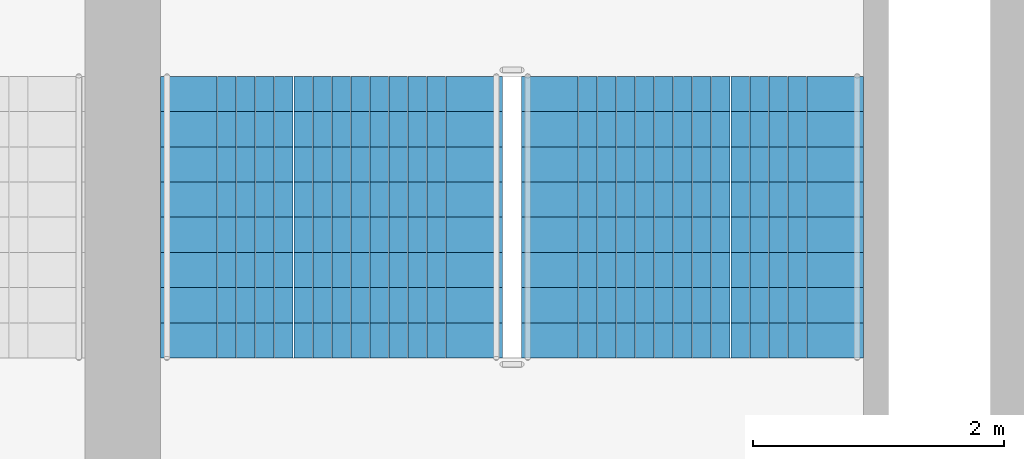
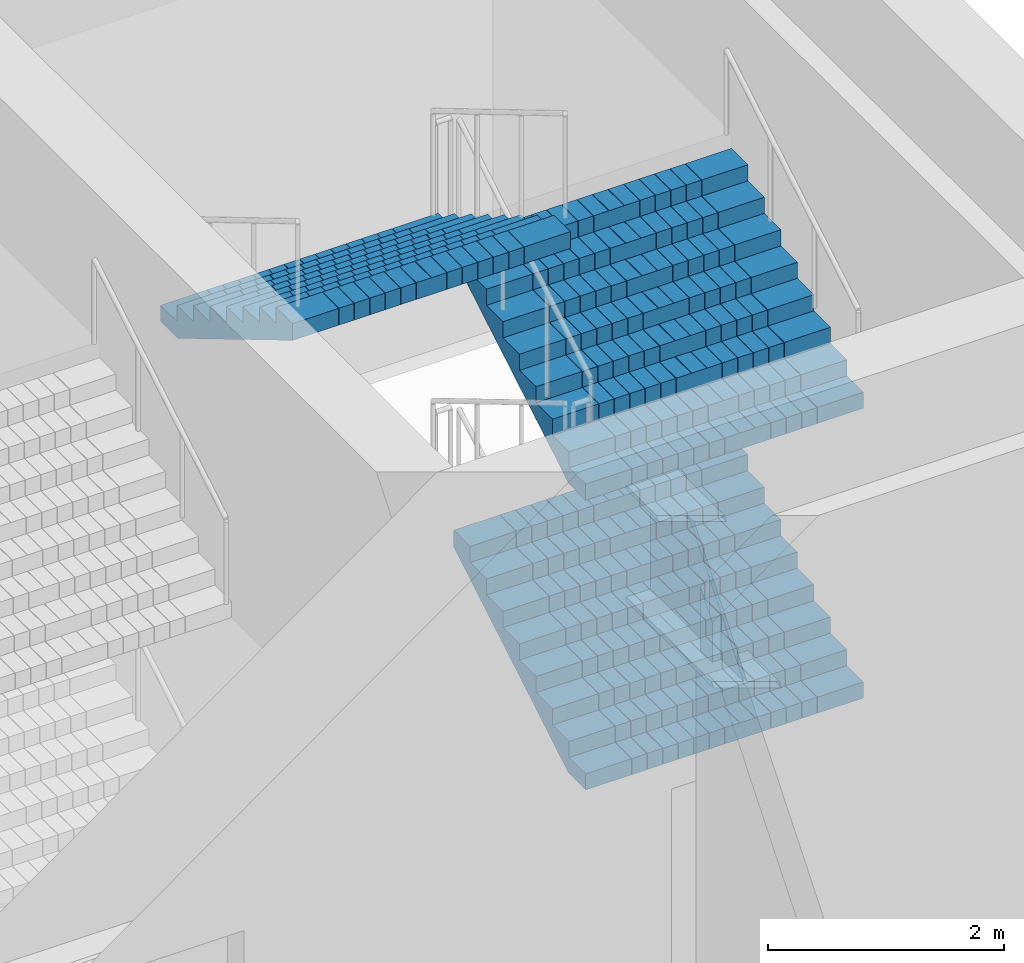
# One storey, part 34 of 41: 3 stair flights, 1 element without a shape of its own.
"""IFC4 building model written with IfcOpenShell, lengths in metres."""

from ifc_helpers import new_model, si_unit, direction, frame, origin, place, context, subcontext, project, spatial, polyline, outline, extrude, material, type_object, element, aggregate, save


model = new_model("IFC4")

# Units and contexts
model_context = context("Model", 3, precision=1e-05, world=origin(), true_north=direction((0.0, 1.0)))
body_context = subcontext(model_context, "Body", "Model", "MODEL_VIEW")
ifc_project = project(units=[si_unit("LENGTHUNIT", "METRE"), si_unit("AREAUNIT", "SQUARE_METRE"), si_unit("VOLUMEUNIT", "CUBIC_METRE"), si_unit("PLANEANGLEUNIT", "RADIAN"), si_unit("MASSUNIT", "GRAM", prefix="KILO")], contexts=[model_context])

# Site, building, storey
site_placement = place(None, origin())
site = spatial("IfcSite", under=ifc_project, at=site_placement, CompositionType="ELEMENT")
building_placement = place(site_placement, origin())
building = spatial("IfcBuilding", under=site, at=building_placement, Name="Corbelhall Arena Tower", CompositionType="ELEMENT")
storey_placement = place(building_placement, frame((0.0, 0.0, 19.0)))
storey = spatial("IfcBuildingStorey", under=building, at=storey_placement, Name="L02", CompositionType="ELEMENT", Elevation=19.0)

# Stair, stair flights
ifc_material = material(Name="Reinforced concrete C40/50", Category="concrete")
stair_type = type_object("IfcStairType", Name="AR-EXIT-STAIR", PredefinedType="HALF_TURN_STAIR", material=ifc_material)
stair_placement = place(storey_placement, origin())
stair = element("IfcStair", 1, at=stair_placement, inside=storey, type_object=stair_type, Name="L02 exit stair AS2", PredefinedType="HALF_TURN_STAIR")
stair_flight_type = type_object("IfcStairFlightType", Name="AR-EXIT-FLIGHT", PredefinedType="STRAIGHT", material=ifc_material)
stair_flight_1_placement = place(storey_placement, frame((45.030029296875, 27.320068359375, 0.0), z_axis=(0.0, 0.0, 1.0), x_axis=(0.0, 1.0, 0.0)))
stair_flight_1 = element("IfcStairFlight", 2, at=stair_flight_1_placement, type_object=stair_flight_type, Name="AS2 flight 1", NumberOfRisers=9, NumberOfTreads=8, PredefinedType="STRAIGHT", RiserHeight=0.166666667, TreadLength=0.28, context=body_context, shape_type="SweptSolid", body=[
    extrude(outline(polyline([(0.0, 0.0), (0.0, 0.166748046875), (0.280029296875, 0.166748046875), (0.280029296875, 0.333251953125), (0.56005859375, 0.333251953125), (0.56005859375, 0.5), (0.840087890625, 0.5), (0.840087890625, 0.666748046875), (1.1201171875, 0.666748046875), (1.1201171875, 0.833251953125), (1.39990234375, 0.833251953125), (1.39990234375, 1.0), (1.679931640625, 1.0), (1.679931640625, 1.166748046875), (1.9599609375, 1.166748046875), (1.9599609375, 1.333251953125), (2.239990234375, 1.333251953125), (2.239990234375, 1.5), (2.239990234375, 1.158935546875), (0.29296875, 0.0), (0.0, 0.0)])), frame((0.0, 1.35986328125, 0.0), z_axis=(0.0, -1.0, 0.0), x_axis=(1.0, 0.0, 0.0)), (0.0, 0.0, 1.0), 0.449951171875),
    extrude(outline(polyline([(0.0, 0.0), (0.0, 0.166748046875), (0.280029296875, 0.166748046875), (0.280029296875, 0.333251953125), (0.56005859375, 0.333251953125), (0.56005859375, 0.5), (0.840087890625, 0.5), (0.840087890625, 0.666748046875), (1.1201171875, 0.666748046875), (1.1201171875, 0.833251953125), (1.39990234375, 0.833251953125), (1.39990234375, 1.0), (1.679931640625, 1.0), (1.679931640625, 1.166748046875), (1.9599609375, 1.166748046875), (1.9599609375, 1.333251953125), (2.239990234375, 1.333251953125), (2.239990234375, 1.5), (2.239990234375, 1.158935546875), (0.29296875, 0.0), (0.0, 0.0)])), frame((0.0, 0.906005859375, 0.0), z_axis=(0.0, -1.0, 0.0), x_axis=(1.0, 0.0, 0.0)), (0.0, 0.0, 1.0), 0.147216796875),
    extrude(outline(polyline([(0.0, 0.0), (0.0, 0.166748046875), (0.280029296875, 0.166748046875), (0.280029296875, 0.333251953125), (0.56005859375, 0.333251953125), (0.56005859375, 0.5), (0.840087890625, 0.5), (0.840087890625, 0.666748046875), (1.1201171875, 0.666748046875), (1.1201171875, 0.833251953125), (1.39990234375, 0.833251953125), (1.39990234375, 1.0), (1.679931640625, 1.0), (1.679931640625, 1.166748046875), (1.9599609375, 1.166748046875), (1.9599609375, 1.333251953125), (2.239990234375, 1.333251953125), (2.239990234375, 1.5), (2.239990234375, 1.158935546875), (0.29296875, 0.0), (0.0, 0.0)])), frame((0.0, 0.754638671875, 0.0), z_axis=(0.0, -1.0, 0.0), x_axis=(1.0, 0.0, 0.0)), (0.0, 0.0, 1.0), 0.147216796875),
    extrude(outline(polyline([(0.0, 0.0), (0.0, 0.166748046875), (0.280029296875, 0.166748046875), (0.280029296875, 0.333251953125), (0.56005859375, 0.333251953125), (0.56005859375, 0.5), (0.840087890625, 0.5), (0.840087890625, 0.666748046875), (1.1201171875, 0.666748046875), (1.1201171875, 0.833251953125), (1.39990234375, 0.833251953125), (1.39990234375, 1.0), (1.679931640625, 1.0), (1.679931640625, 1.166748046875), (1.9599609375, 1.166748046875), (1.9599609375, 1.333251953125), (2.239990234375, 1.333251953125), (2.239990234375, 1.5), (2.239990234375, 1.158935546875), (0.29296875, 0.0), (0.0, 0.0)])), frame((0.0, 0.603271484375, 0.0), z_axis=(0.0, -1.0, 0.0), x_axis=(1.0, 0.0, 0.0)), (0.0, 0.0, 1.0), 0.147216796875),
    extrude(outline(polyline([(0.0, 0.0), (0.0, 0.166748046875), (0.280029296875, 0.166748046875), (0.280029296875, 0.333251953125), (0.56005859375, 0.333251953125), (0.56005859375, 0.5), (0.840087890625, 0.5), (0.840087890625, 0.666748046875), (1.1201171875, 0.666748046875), (1.1201171875, 0.833251953125), (1.39990234375, 0.833251953125), (1.39990234375, 1.0), (1.679931640625, 1.0), (1.679931640625, 1.166748046875), (1.9599609375, 1.166748046875), (1.9599609375, 1.333251953125), (2.239990234375, 1.333251953125), (2.239990234375, 1.5), (2.239990234375, 1.158935546875), (0.29296875, 0.0), (0.0, 0.0)])), frame((0.0, 0.451904296875, 0.0), z_axis=(0.0, -1.0, 0.0), x_axis=(1.0, 0.0, 0.0)), (0.0, 0.0, 1.0), 0.147216796875),
    extrude(outline(polyline([(0.0, 0.0), (0.0, 0.166748046875), (0.280029296875, 0.166748046875), (0.280029296875, 0.333251953125), (0.56005859375, 0.333251953125), (0.56005859375, 0.5), (0.840087890625, 0.5), (0.840087890625, 0.666748046875), (1.1201171875, 0.666748046875), (1.1201171875, 0.833251953125), (1.39990234375, 0.833251953125), (1.39990234375, 1.0), (1.679931640625, 1.0), (1.679931640625, 1.166748046875), (1.9599609375, 1.166748046875), (1.9599609375, 1.333251953125), (2.239990234375, 1.333251953125), (2.239990234375, 1.5), (2.239990234375, 1.158935546875), (0.29296875, 0.0), (0.0, 0.0)])), frame((0.0, 0.30078125, 0.0), z_axis=(0.0, -1.0, 0.0), x_axis=(1.0, 0.0, 0.0)), (0.0, 0.0, 1.0), 0.147216796875),
    extrude(outline(polyline([(0.0, 0.0), (0.0, 0.166748046875), (0.280029296875, 0.166748046875), (0.280029296875, 0.333251953125), (0.56005859375, 0.333251953125), (0.56005859375, 0.5), (0.840087890625, 0.5), (0.840087890625, 0.666748046875), (1.1201171875, 0.666748046875), (1.1201171875, 0.833251953125), (1.39990234375, 0.833251953125), (1.39990234375, 1.0), (1.679931640625, 1.0), (1.679931640625, 1.166748046875), (1.9599609375, 1.166748046875), (1.9599609375, 1.333251953125), (2.239990234375, 1.333251953125), (2.239990234375, 1.5), (2.239990234375, 1.158935546875), (0.29296875, 0.0), (0.0, 0.0)])), frame((0.0, 0.1494140625, 0.0), z_axis=(0.0, -1.0, 0.0), x_axis=(1.0, 0.0, 0.0)), (0.0, 0.0, 1.0), 0.147216796875),
    extrude(outline(polyline([(0.0, 0.0), (0.0, 0.166748046875), (0.280029296875, 0.166748046875), (0.280029296875, 0.333251953125), (0.56005859375, 0.333251953125), (0.56005859375, 0.5), (0.840087890625, 0.5), (0.840087890625, 0.666748046875), (1.1201171875, 0.666748046875), (1.1201171875, 0.833251953125), (1.39990234375, 0.833251953125), (1.39990234375, 1.0), (1.679931640625, 1.0), (1.679931640625, 1.166748046875), (1.9599609375, 1.166748046875), (1.9599609375, 1.333251953125), (2.239990234375, 1.333251953125), (2.239990234375, 1.5), (2.239990234375, 1.158935546875), (0.29296875, 0.0), (0.0, 0.0)])), frame((0.0, -0.001953125, 0.0), z_axis=(0.0, -1.0, 0.0), x_axis=(1.0, 0.0, 0.0)), (0.0, 0.0, 1.0), 0.147216796875),
    extrude(outline(polyline([(0.0, 0.0), (0.0, 0.166748046875), (0.280029296875, 0.166748046875), (0.280029296875, 0.333251953125), (0.56005859375, 0.333251953125), (0.56005859375, 0.5), (0.840087890625, 0.5), (0.840087890625, 0.666748046875), (1.1201171875, 0.666748046875), (1.1201171875, 0.833251953125), (1.39990234375, 0.833251953125), (1.39990234375, 1.0), (1.679931640625, 1.0), (1.679931640625, 1.166748046875), (1.9599609375, 1.166748046875), (1.9599609375, 1.333251953125), (2.239990234375, 1.333251953125), (2.239990234375, 1.5), (2.239990234375, 1.158935546875), (0.29296875, 0.0), (0.0, 0.0)])), frame((0.0, -0.1533203125, 0.0), z_axis=(0.0, -1.0, 0.0), x_axis=(1.0, 0.0, 0.0)), (0.0, 0.0, 1.0), 0.147216796875),
    extrude(outline(polyline([(0.0, 0.0), (0.0, 0.166748046875), (0.280029296875, 0.166748046875), (0.280029296875, 0.333251953125), (0.56005859375, 0.333251953125), (0.56005859375, 0.5), (0.840087890625, 0.5), (0.840087890625, 0.666748046875), (1.1201171875, 0.666748046875), (1.1201171875, 0.833251953125), (1.39990234375, 0.833251953125), (1.39990234375, 1.0), (1.679931640625, 1.0), (1.679931640625, 1.166748046875), (1.9599609375, 1.166748046875), (1.9599609375, 1.333251953125), (2.239990234375, 1.333251953125), (2.239990234375, 1.5), (2.239990234375, 1.158935546875), (0.29296875, 0.0), (0.0, 0.0)])), frame((0.0, -0.3046875, 0.0), z_axis=(0.0, -1.0, 0.0), x_axis=(1.0, 0.0, 0.0)), (0.0, 0.0, 1.0), 0.147216796875),
    extrude(outline(polyline([(0.0, 0.0), (0.0, 0.166748046875), (0.280029296875, 0.166748046875), (0.280029296875, 0.333251953125), (0.56005859375, 0.333251953125), (0.56005859375, 0.5), (0.840087890625, 0.5), (0.840087890625, 0.666748046875), (1.1201171875, 0.666748046875), (1.1201171875, 0.833251953125), (1.39990234375, 0.833251953125), (1.39990234375, 1.0), (1.679931640625, 1.0), (1.679931640625, 1.166748046875), (1.9599609375, 1.166748046875), (1.9599609375, 1.333251953125), (2.239990234375, 1.333251953125), (2.239990234375, 1.5), (2.239990234375, 1.158935546875), (0.29296875, 0.0), (0.0, 0.0)])), frame((0.0, -0.4560546875, 0.0), z_axis=(0.0, -1.0, 0.0), x_axis=(1.0, 0.0, 0.0)), (0.0, 0.0, 1.0), 0.147216796875),
    extrude(outline(polyline([(0.0, 0.0), (0.0, 0.166748046875), (0.280029296875, 0.166748046875), (0.280029296875, 0.333251953125), (0.56005859375, 0.333251953125), (0.56005859375, 0.5), (0.840087890625, 0.5), (0.840087890625, 0.666748046875), (1.1201171875, 0.666748046875), (1.1201171875, 0.833251953125), (1.39990234375, 0.833251953125), (1.39990234375, 1.0), (1.679931640625, 1.0), (1.679931640625, 1.166748046875), (1.9599609375, 1.166748046875), (1.9599609375, 1.333251953125), (2.239990234375, 1.333251953125), (2.239990234375, 1.5), (2.239990234375, 1.158935546875), (0.29296875, 0.0), (0.0, 0.0)])), frame((0.0, -0.607421875, 0.0), z_axis=(0.0, -1.0, 0.0), x_axis=(1.0, 0.0, 0.0)), (0.0, 0.0, 1.0), 0.147216796875),
    extrude(outline(polyline([(0.0, 0.0), (0.0, 0.166748046875), (0.280029296875, 0.166748046875), (0.280029296875, 0.333251953125), (0.56005859375, 0.333251953125), (0.56005859375, 0.5), (0.840087890625, 0.5), (0.840087890625, 0.666748046875), (1.1201171875, 0.666748046875), (1.1201171875, 0.833251953125), (1.39990234375, 0.833251953125), (1.39990234375, 1.0), (1.679931640625, 1.0), (1.679931640625, 1.166748046875), (1.9599609375, 1.166748046875), (1.9599609375, 1.333251953125), (2.239990234375, 1.333251953125), (2.239990234375, 1.5), (2.239990234375, 1.158935546875), (0.29296875, 0.0), (0.0, 0.0)])), frame((0.0, -0.758544921875, 0.0), z_axis=(0.0, -1.0, 0.0), x_axis=(1.0, 0.0, 0.0)), (0.0, 0.0, 1.0), 0.147216796875),
    extrude(outline(polyline([(0.0, 0.0), (0.0, 0.166748046875), (0.280029296875, 0.166748046875), (0.280029296875, 0.333251953125), (0.56005859375, 0.333251953125), (0.56005859375, 0.5), (0.840087890625, 0.5), (0.840087890625, 0.666748046875), (1.1201171875, 0.666748046875), (1.1201171875, 0.833251953125), (1.39990234375, 0.833251953125), (1.39990234375, 1.0), (1.679931640625, 1.0), (1.679931640625, 1.166748046875), (1.9599609375, 1.166748046875), (1.9599609375, 1.333251953125), (2.239990234375, 1.333251953125), (2.239990234375, 1.5), (2.239990234375, 1.158935546875), (0.29296875, 0.0), (0.0, 0.0)])), frame((0.0, -0.909912109375, 0.0), z_axis=(0.0, -1.0, 0.0), x_axis=(1.0, 0.0, 0.0)), (0.0, 0.0, 1.0), 0.449951171875),
])
stair_flight_2_placement = place(storey_placement, frame((45.030029296875, 27.320068359375, 3.0), z_axis=(0.0, 0.0, 1.0), x_axis=(0.0, 1.0, 0.0)))
stair_flight_2 = element("IfcStairFlight", 3, at=stair_flight_2_placement, type_object=stair_flight_type, Name="AS2 flight 3", NumberOfRisers=9, NumberOfTreads=8, PredefinedType="STRAIGHT", RiserHeight=0.166666667, TreadLength=0.28, context=body_context, shape_type="SweptSolid", body=[
    extrude(outline(polyline([(0.0, 0.0), (0.0, 0.166748046875), (0.280029296875, 0.166748046875), (0.280029296875, 0.333251953125), (0.56005859375, 0.333251953125), (0.56005859375, 0.5), (0.840087890625, 0.5), (0.840087890625, 0.666748046875), (1.1201171875, 0.666748046875), (1.1201171875, 0.833251953125), (1.39990234375, 0.833251953125), (1.39990234375, 1.0), (1.679931640625, 1.0), (1.679931640625, 1.166748046875), (1.9599609375, 1.166748046875), (1.9599609375, 1.333251953125), (2.239990234375, 1.333251953125), (2.239990234375, 1.5), (2.239990234375, 1.158935546875), (0.29296875, 0.0), (0.0, 0.0)])), frame((0.0, 1.35986328125, 0.0), z_axis=(0.0, -1.0, 0.0), x_axis=(1.0, 0.0, 0.0)), (0.0, 0.0, 1.0), 0.449951171875),
    extrude(outline(polyline([(0.0, 0.0), (0.0, 0.166748046875), (0.280029296875, 0.166748046875), (0.280029296875, 0.333251953125), (0.56005859375, 0.333251953125), (0.56005859375, 0.5), (0.840087890625, 0.5), (0.840087890625, 0.666748046875), (1.1201171875, 0.666748046875), (1.1201171875, 0.833251953125), (1.39990234375, 0.833251953125), (1.39990234375, 1.0), (1.679931640625, 1.0), (1.679931640625, 1.166748046875), (1.9599609375, 1.166748046875), (1.9599609375, 1.333251953125), (2.239990234375, 1.333251953125), (2.239990234375, 1.5), (2.239990234375, 1.158935546875), (0.29296875, 0.0), (0.0, 0.0)])), frame((0.0, 0.906005859375, 0.0), z_axis=(0.0, -1.0, 0.0), x_axis=(1.0, 0.0, 0.0)), (0.0, 0.0, 1.0), 0.147216796875),
    extrude(outline(polyline([(0.0, 0.0), (0.0, 0.166748046875), (0.280029296875, 0.166748046875), (0.280029296875, 0.333251953125), (0.56005859375, 0.333251953125), (0.56005859375, 0.5), (0.840087890625, 0.5), (0.840087890625, 0.666748046875), (1.1201171875, 0.666748046875), (1.1201171875, 0.833251953125), (1.39990234375, 0.833251953125), (1.39990234375, 1.0), (1.679931640625, 1.0), (1.679931640625, 1.166748046875), (1.9599609375, 1.166748046875), (1.9599609375, 1.333251953125), (2.239990234375, 1.333251953125), (2.239990234375, 1.5), (2.239990234375, 1.158935546875), (0.29296875, 0.0), (0.0, 0.0)])), frame((0.0, 0.754638671875, 0.0), z_axis=(0.0, -1.0, 0.0), x_axis=(1.0, 0.0, 0.0)), (0.0, 0.0, 1.0), 0.147216796875),
    extrude(outline(polyline([(0.0, 0.0), (0.0, 0.166748046875), (0.280029296875, 0.166748046875), (0.280029296875, 0.333251953125), (0.56005859375, 0.333251953125), (0.56005859375, 0.5), (0.840087890625, 0.5), (0.840087890625, 0.666748046875), (1.1201171875, 0.666748046875), (1.1201171875, 0.833251953125), (1.39990234375, 0.833251953125), (1.39990234375, 1.0), (1.679931640625, 1.0), (1.679931640625, 1.166748046875), (1.9599609375, 1.166748046875), (1.9599609375, 1.333251953125), (2.239990234375, 1.333251953125), (2.239990234375, 1.5), (2.239990234375, 1.158935546875), (0.29296875, 0.0), (0.0, 0.0)])), frame((0.0, 0.603271484375, 0.0), z_axis=(0.0, -1.0, 0.0), x_axis=(1.0, 0.0, 0.0)), (0.0, 0.0, 1.0), 0.147216796875),
    extrude(outline(polyline([(0.0, 0.0), (0.0, 0.166748046875), (0.280029296875, 0.166748046875), (0.280029296875, 0.333251953125), (0.56005859375, 0.333251953125), (0.56005859375, 0.5), (0.840087890625, 0.5), (0.840087890625, 0.666748046875), (1.1201171875, 0.666748046875), (1.1201171875, 0.833251953125), (1.39990234375, 0.833251953125), (1.39990234375, 1.0), (1.679931640625, 1.0), (1.679931640625, 1.166748046875), (1.9599609375, 1.166748046875), (1.9599609375, 1.333251953125), (2.239990234375, 1.333251953125), (2.239990234375, 1.5), (2.239990234375, 1.158935546875), (0.29296875, 0.0), (0.0, 0.0)])), frame((0.0, 0.451904296875, 0.0), z_axis=(0.0, -1.0, 0.0), x_axis=(1.0, 0.0, 0.0)), (0.0, 0.0, 1.0), 0.147216796875),
    extrude(outline(polyline([(0.0, 0.0), (0.0, 0.166748046875), (0.280029296875, 0.166748046875), (0.280029296875, 0.333251953125), (0.56005859375, 0.333251953125), (0.56005859375, 0.5), (0.840087890625, 0.5), (0.840087890625, 0.666748046875), (1.1201171875, 0.666748046875), (1.1201171875, 0.833251953125), (1.39990234375, 0.833251953125), (1.39990234375, 1.0), (1.679931640625, 1.0), (1.679931640625, 1.166748046875), (1.9599609375, 1.166748046875), (1.9599609375, 1.333251953125), (2.239990234375, 1.333251953125), (2.239990234375, 1.5), (2.239990234375, 1.158935546875), (0.29296875, 0.0), (0.0, 0.0)])), frame((0.0, 0.30078125, 0.0), z_axis=(0.0, -1.0, 0.0), x_axis=(1.0, 0.0, 0.0)), (0.0, 0.0, 1.0), 0.147216796875),
    extrude(outline(polyline([(0.0, 0.0), (0.0, 0.166748046875), (0.280029296875, 0.166748046875), (0.280029296875, 0.333251953125), (0.56005859375, 0.333251953125), (0.56005859375, 0.5), (0.840087890625, 0.5), (0.840087890625, 0.666748046875), (1.1201171875, 0.666748046875), (1.1201171875, 0.833251953125), (1.39990234375, 0.833251953125), (1.39990234375, 1.0), (1.679931640625, 1.0), (1.679931640625, 1.166748046875), (1.9599609375, 1.166748046875), (1.9599609375, 1.333251953125), (2.239990234375, 1.333251953125), (2.239990234375, 1.5), (2.239990234375, 1.158935546875), (0.29296875, 0.0), (0.0, 0.0)])), frame((0.0, 0.1494140625, 0.0), z_axis=(0.0, -1.0, 0.0), x_axis=(1.0, 0.0, 0.0)), (0.0, 0.0, 1.0), 0.147216796875),
    extrude(outline(polyline([(0.0, 0.0), (0.0, 0.166748046875), (0.280029296875, 0.166748046875), (0.280029296875, 0.333251953125), (0.56005859375, 0.333251953125), (0.56005859375, 0.5), (0.840087890625, 0.5), (0.840087890625, 0.666748046875), (1.1201171875, 0.666748046875), (1.1201171875, 0.833251953125), (1.39990234375, 0.833251953125), (1.39990234375, 1.0), (1.679931640625, 1.0), (1.679931640625, 1.166748046875), (1.9599609375, 1.166748046875), (1.9599609375, 1.333251953125), (2.239990234375, 1.333251953125), (2.239990234375, 1.5), (2.239990234375, 1.158935546875), (0.29296875, 0.0), (0.0, 0.0)])), frame((0.0, -0.001953125, 0.0), z_axis=(0.0, -1.0, 0.0), x_axis=(1.0, 0.0, 0.0)), (0.0, 0.0, 1.0), 0.147216796875),
    extrude(outline(polyline([(0.0, 0.0), (0.0, 0.166748046875), (0.280029296875, 0.166748046875), (0.280029296875, 0.333251953125), (0.56005859375, 0.333251953125), (0.56005859375, 0.5), (0.840087890625, 0.5), (0.840087890625, 0.666748046875), (1.1201171875, 0.666748046875), (1.1201171875, 0.833251953125), (1.39990234375, 0.833251953125), (1.39990234375, 1.0), (1.679931640625, 1.0), (1.679931640625, 1.166748046875), (1.9599609375, 1.166748046875), (1.9599609375, 1.333251953125), (2.239990234375, 1.333251953125), (2.239990234375, 1.5), (2.239990234375, 1.158935546875), (0.29296875, 0.0), (0.0, 0.0)])), frame((0.0, -0.1533203125, 0.0), z_axis=(0.0, -1.0, 0.0), x_axis=(1.0, 0.0, 0.0)), (0.0, 0.0, 1.0), 0.147216796875),
    extrude(outline(polyline([(0.0, 0.0), (0.0, 0.166748046875), (0.280029296875, 0.166748046875), (0.280029296875, 0.333251953125), (0.56005859375, 0.333251953125), (0.56005859375, 0.5), (0.840087890625, 0.5), (0.840087890625, 0.666748046875), (1.1201171875, 0.666748046875), (1.1201171875, 0.833251953125), (1.39990234375, 0.833251953125), (1.39990234375, 1.0), (1.679931640625, 1.0), (1.679931640625, 1.166748046875), (1.9599609375, 1.166748046875), (1.9599609375, 1.333251953125), (2.239990234375, 1.333251953125), (2.239990234375, 1.5), (2.239990234375, 1.158935546875), (0.29296875, 0.0), (0.0, 0.0)])), frame((0.0, -0.3046875, 0.0), z_axis=(0.0, -1.0, 0.0), x_axis=(1.0, 0.0, 0.0)), (0.0, 0.0, 1.0), 0.147216796875),
    extrude(outline(polyline([(0.0, 0.0), (0.0, 0.166748046875), (0.280029296875, 0.166748046875), (0.280029296875, 0.333251953125), (0.56005859375, 0.333251953125), (0.56005859375, 0.5), (0.840087890625, 0.5), (0.840087890625, 0.666748046875), (1.1201171875, 0.666748046875), (1.1201171875, 0.833251953125), (1.39990234375, 0.833251953125), (1.39990234375, 1.0), (1.679931640625, 1.0), (1.679931640625, 1.166748046875), (1.9599609375, 1.166748046875), (1.9599609375, 1.333251953125), (2.239990234375, 1.333251953125), (2.239990234375, 1.5), (2.239990234375, 1.158935546875), (0.29296875, 0.0), (0.0, 0.0)])), frame((0.0, -0.4560546875, 0.0), z_axis=(0.0, -1.0, 0.0), x_axis=(1.0, 0.0, 0.0)), (0.0, 0.0, 1.0), 0.147216796875),
    extrude(outline(polyline([(0.0, 0.0), (0.0, 0.166748046875), (0.280029296875, 0.166748046875), (0.280029296875, 0.333251953125), (0.56005859375, 0.333251953125), (0.56005859375, 0.5), (0.840087890625, 0.5), (0.840087890625, 0.666748046875), (1.1201171875, 0.666748046875), (1.1201171875, 0.833251953125), (1.39990234375, 0.833251953125), (1.39990234375, 1.0), (1.679931640625, 1.0), (1.679931640625, 1.166748046875), (1.9599609375, 1.166748046875), (1.9599609375, 1.333251953125), (2.239990234375, 1.333251953125), (2.239990234375, 1.5), (2.239990234375, 1.158935546875), (0.29296875, 0.0), (0.0, 0.0)])), frame((0.0, -0.607421875, 0.0), z_axis=(0.0, -1.0, 0.0), x_axis=(1.0, 0.0, 0.0)), (0.0, 0.0, 1.0), 0.147216796875),
    extrude(outline(polyline([(0.0, 0.0), (0.0, 0.166748046875), (0.280029296875, 0.166748046875), (0.280029296875, 0.333251953125), (0.56005859375, 0.333251953125), (0.56005859375, 0.5), (0.840087890625, 0.5), (0.840087890625, 0.666748046875), (1.1201171875, 0.666748046875), (1.1201171875, 0.833251953125), (1.39990234375, 0.833251953125), (1.39990234375, 1.0), (1.679931640625, 1.0), (1.679931640625, 1.166748046875), (1.9599609375, 1.166748046875), (1.9599609375, 1.333251953125), (2.239990234375, 1.333251953125), (2.239990234375, 1.5), (2.239990234375, 1.158935546875), (0.29296875, 0.0), (0.0, 0.0)])), frame((0.0, -0.758544921875, 0.0), z_axis=(0.0, -1.0, 0.0), x_axis=(1.0, 0.0, 0.0)), (0.0, 0.0, 1.0), 0.147216796875),
    extrude(outline(polyline([(0.0, 0.0), (0.0, 0.166748046875), (0.280029296875, 0.166748046875), (0.280029296875, 0.333251953125), (0.56005859375, 0.333251953125), (0.56005859375, 0.5), (0.840087890625, 0.5), (0.840087890625, 0.666748046875), (1.1201171875, 0.666748046875), (1.1201171875, 0.833251953125), (1.39990234375, 0.833251953125), (1.39990234375, 1.0), (1.679931640625, 1.0), (1.679931640625, 1.166748046875), (1.9599609375, 1.166748046875), (1.9599609375, 1.333251953125), (2.239990234375, 1.333251953125), (2.239990234375, 1.5), (2.239990234375, 1.158935546875), (0.29296875, 0.0), (0.0, 0.0)])), frame((0.0, -0.909912109375, 0.0), z_axis=(0.0, -1.0, 0.0), x_axis=(1.0, 0.0, 0.0)), (0.0, 0.0, 1.0), 0.449951171875),
])
stair_flight_3_placement = place(storey_placement, frame((42.159912109375, 29.56005859375, 4.5), z_axis=(0.0, 0.0, 1.0), x_axis=(0.0, -1.0, 0.0)))
stair_flight_3 = element("IfcStairFlight", 4, at=stair_flight_3_placement, type_object=stair_flight_type, Name="AS2 flight 4", NumberOfRisers=9, NumberOfTreads=8, PredefinedType="STRAIGHT", RiserHeight=0.166666667, TreadLength=0.28, context=body_context, shape_type="SweptSolid", body=[
    extrude(outline(polyline([(0.0, 0.0), (0.0, 0.166748046875), (0.280029296875, 0.166748046875), (0.280029296875, 0.333251953125), (0.56005859375, 0.333251953125), (0.56005859375, 0.5), (0.840087890625, 0.5), (0.840087890625, 0.666748046875), (1.1201171875, 0.666748046875), (1.1201171875, 0.833251953125), (1.39990234375, 0.833251953125), (1.39990234375, 1.0), (1.679931640625, 1.0), (1.679931640625, 1.166748046875), (1.9599609375, 1.166748046875), (1.9599609375, 1.333251953125), (2.239990234375, 1.333251953125), (2.239990234375, 1.5), (2.239990234375, 1.158935546875), (0.29296875, 0.0), (0.0, 0.0)])), frame((0.0, 1.35986328125, 0.0), z_axis=(0.0, -1.0, 0.0), x_axis=(1.0, 0.0, 0.0)), (0.0, 0.0, 1.0), 0.449951171875),
    extrude(outline(polyline([(0.0, 0.0), (0.0, 0.166748046875), (0.280029296875, 0.166748046875), (0.280029296875, 0.333251953125), (0.56005859375, 0.333251953125), (0.56005859375, 0.5), (0.840087890625, 0.5), (0.840087890625, 0.666748046875), (1.1201171875, 0.666748046875), (1.1201171875, 0.833251953125), (1.39990234375, 0.833251953125), (1.39990234375, 1.0), (1.679931640625, 1.0), (1.679931640625, 1.166748046875), (1.9599609375, 1.166748046875), (1.9599609375, 1.333251953125), (2.239990234375, 1.333251953125), (2.239990234375, 1.5), (2.239990234375, 1.158935546875), (0.29296875, 0.0), (0.0, 0.0)])), frame((0.0, 0.906005859375, 0.0), z_axis=(0.0, -1.0, 0.0), x_axis=(1.0, 0.0, 0.0)), (0.0, 0.0, 1.0), 0.147216796875),
    extrude(outline(polyline([(0.0, 0.0), (0.0, 0.166748046875), (0.280029296875, 0.166748046875), (0.280029296875, 0.333251953125), (0.56005859375, 0.333251953125), (0.56005859375, 0.5), (0.840087890625, 0.5), (0.840087890625, 0.666748046875), (1.1201171875, 0.666748046875), (1.1201171875, 0.833251953125), (1.39990234375, 0.833251953125), (1.39990234375, 1.0), (1.679931640625, 1.0), (1.679931640625, 1.166748046875), (1.9599609375, 1.166748046875), (1.9599609375, 1.333251953125), (2.239990234375, 1.333251953125), (2.239990234375, 1.5), (2.239990234375, 1.158935546875), (0.29296875, 0.0), (0.0, 0.0)])), frame((0.0, 0.754638671875, 0.0), z_axis=(0.0, -1.0, 0.0), x_axis=(1.0, 0.0, 0.0)), (0.0, 0.0, 1.0), 0.147216796875),
    extrude(outline(polyline([(0.0, 0.0), (0.0, 0.166748046875), (0.280029296875, 0.166748046875), (0.280029296875, 0.333251953125), (0.56005859375, 0.333251953125), (0.56005859375, 0.5), (0.840087890625, 0.5), (0.840087890625, 0.666748046875), (1.1201171875, 0.666748046875), (1.1201171875, 0.833251953125), (1.39990234375, 0.833251953125), (1.39990234375, 1.0), (1.679931640625, 1.0), (1.679931640625, 1.166748046875), (1.9599609375, 1.166748046875), (1.9599609375, 1.333251953125), (2.239990234375, 1.333251953125), (2.239990234375, 1.5), (2.239990234375, 1.158935546875), (0.29296875, 0.0), (0.0, 0.0)])), frame((0.0, 0.603271484375, 0.0), z_axis=(0.0, -1.0, 0.0), x_axis=(1.0, 0.0, 0.0)), (0.0, 0.0, 1.0), 0.147216796875),
    extrude(outline(polyline([(0.0, 0.0), (0.0, 0.166748046875), (0.280029296875, 0.166748046875), (0.280029296875, 0.333251953125), (0.56005859375, 0.333251953125), (0.56005859375, 0.5), (0.840087890625, 0.5), (0.840087890625, 0.666748046875), (1.1201171875, 0.666748046875), (1.1201171875, 0.833251953125), (1.39990234375, 0.833251953125), (1.39990234375, 1.0), (1.679931640625, 1.0), (1.679931640625, 1.166748046875), (1.9599609375, 1.166748046875), (1.9599609375, 1.333251953125), (2.239990234375, 1.333251953125), (2.239990234375, 1.5), (2.239990234375, 1.158935546875), (0.29296875, 0.0), (0.0, 0.0)])), frame((0.0, 0.451904296875, 0.0), z_axis=(0.0, -1.0, 0.0), x_axis=(1.0, 0.0, 0.0)), (0.0, 0.0, 1.0), 0.147216796875),
    extrude(outline(polyline([(0.0, 0.0), (0.0, 0.166748046875), (0.280029296875, 0.166748046875), (0.280029296875, 0.333251953125), (0.56005859375, 0.333251953125), (0.56005859375, 0.5), (0.840087890625, 0.5), (0.840087890625, 0.666748046875), (1.1201171875, 0.666748046875), (1.1201171875, 0.833251953125), (1.39990234375, 0.833251953125), (1.39990234375, 1.0), (1.679931640625, 1.0), (1.679931640625, 1.166748046875), (1.9599609375, 1.166748046875), (1.9599609375, 1.333251953125), (2.239990234375, 1.333251953125), (2.239990234375, 1.5), (2.239990234375, 1.158935546875), (0.29296875, 0.0), (0.0, 0.0)])), frame((0.0, 0.30078125, 0.0), z_axis=(0.0, -1.0, 0.0), x_axis=(1.0, 0.0, 0.0)), (0.0, 0.0, 1.0), 0.147216796875),
    extrude(outline(polyline([(0.0, 0.0), (0.0, 0.166748046875), (0.280029296875, 0.166748046875), (0.280029296875, 0.333251953125), (0.56005859375, 0.333251953125), (0.56005859375, 0.5), (0.840087890625, 0.5), (0.840087890625, 0.666748046875), (1.1201171875, 0.666748046875), (1.1201171875, 0.833251953125), (1.39990234375, 0.833251953125), (1.39990234375, 1.0), (1.679931640625, 1.0), (1.679931640625, 1.166748046875), (1.9599609375, 1.166748046875), (1.9599609375, 1.333251953125), (2.239990234375, 1.333251953125), (2.239990234375, 1.5), (2.239990234375, 1.158935546875), (0.29296875, 0.0), (0.0, 0.0)])), frame((0.0, 0.1494140625, 0.0), z_axis=(0.0, -1.0, 0.0), x_axis=(1.0, 0.0, 0.0)), (0.0, 0.0, 1.0), 0.147216796875),
    extrude(outline(polyline([(0.0, 0.0), (0.0, 0.166748046875), (0.280029296875, 0.166748046875), (0.280029296875, 0.333251953125), (0.56005859375, 0.333251953125), (0.56005859375, 0.5), (0.840087890625, 0.5), (0.840087890625, 0.666748046875), (1.1201171875, 0.666748046875), (1.1201171875, 0.833251953125), (1.39990234375, 0.833251953125), (1.39990234375, 1.0), (1.679931640625, 1.0), (1.679931640625, 1.166748046875), (1.9599609375, 1.166748046875), (1.9599609375, 1.333251953125), (2.239990234375, 1.333251953125), (2.239990234375, 1.5), (2.239990234375, 1.158935546875), (0.29296875, 0.0), (0.0, 0.0)])), frame((0.0, -0.001953125, 0.0), z_axis=(0.0, -1.0, 0.0), x_axis=(1.0, 0.0, 0.0)), (0.0, 0.0, 1.0), 0.147216796875),
    extrude(outline(polyline([(0.0, 0.0), (0.0, 0.166748046875), (0.280029296875, 0.166748046875), (0.280029296875, 0.333251953125), (0.56005859375, 0.333251953125), (0.56005859375, 0.5), (0.840087890625, 0.5), (0.840087890625, 0.666748046875), (1.1201171875, 0.666748046875), (1.1201171875, 0.833251953125), (1.39990234375, 0.833251953125), (1.39990234375, 1.0), (1.679931640625, 1.0), (1.679931640625, 1.166748046875), (1.9599609375, 1.166748046875), (1.9599609375, 1.333251953125), (2.239990234375, 1.333251953125), (2.239990234375, 1.5), (2.239990234375, 1.158935546875), (0.29296875, 0.0), (0.0, 0.0)])), frame((0.0, -0.1533203125, 0.0), z_axis=(0.0, -1.0, 0.0), x_axis=(1.0, 0.0, 0.0)), (0.0, 0.0, 1.0), 0.147216796875),
    extrude(outline(polyline([(0.0, 0.0), (0.0, 0.166748046875), (0.280029296875, 0.166748046875), (0.280029296875, 0.333251953125), (0.56005859375, 0.333251953125), (0.56005859375, 0.5), (0.840087890625, 0.5), (0.840087890625, 0.666748046875), (1.1201171875, 0.666748046875), (1.1201171875, 0.833251953125), (1.39990234375, 0.833251953125), (1.39990234375, 1.0), (1.679931640625, 1.0), (1.679931640625, 1.166748046875), (1.9599609375, 1.166748046875), (1.9599609375, 1.333251953125), (2.239990234375, 1.333251953125), (2.239990234375, 1.5), (2.239990234375, 1.158935546875), (0.29296875, 0.0), (0.0, 0.0)])), frame((0.0, -0.3046875, 0.0), z_axis=(0.0, -1.0, 0.0), x_axis=(1.0, 0.0, 0.0)), (0.0, 0.0, 1.0), 0.147216796875),
    extrude(outline(polyline([(0.0, 0.0), (0.0, 0.166748046875), (0.280029296875, 0.166748046875), (0.280029296875, 0.333251953125), (0.56005859375, 0.333251953125), (0.56005859375, 0.5), (0.840087890625, 0.5), (0.840087890625, 0.666748046875), (1.1201171875, 0.666748046875), (1.1201171875, 0.833251953125), (1.39990234375, 0.833251953125), (1.39990234375, 1.0), (1.679931640625, 1.0), (1.679931640625, 1.166748046875), (1.9599609375, 1.166748046875), (1.9599609375, 1.333251953125), (2.239990234375, 1.333251953125), (2.239990234375, 1.5), (2.239990234375, 1.158935546875), (0.29296875, 0.0), (0.0, 0.0)])), frame((0.0, -0.4560546875, 0.0), z_axis=(0.0, -1.0, 0.0), x_axis=(1.0, 0.0, 0.0)), (0.0, 0.0, 1.0), 0.147216796875),
    extrude(outline(polyline([(0.0, 0.0), (0.0, 0.166748046875), (0.280029296875, 0.166748046875), (0.280029296875, 0.333251953125), (0.56005859375, 0.333251953125), (0.56005859375, 0.5), (0.840087890625, 0.5), (0.840087890625, 0.666748046875), (1.1201171875, 0.666748046875), (1.1201171875, 0.833251953125), (1.39990234375, 0.833251953125), (1.39990234375, 1.0), (1.679931640625, 1.0), (1.679931640625, 1.166748046875), (1.9599609375, 1.166748046875), (1.9599609375, 1.333251953125), (2.239990234375, 1.333251953125), (2.239990234375, 1.5), (2.239990234375, 1.158935546875), (0.29296875, 0.0), (0.0, 0.0)])), frame((0.0, -0.607421875, 0.0), z_axis=(0.0, -1.0, 0.0), x_axis=(1.0, 0.0, 0.0)), (0.0, 0.0, 1.0), 0.147216796875),
    extrude(outline(polyline([(0.0, 0.0), (0.0, 0.166748046875), (0.280029296875, 0.166748046875), (0.280029296875, 0.333251953125), (0.56005859375, 0.333251953125), (0.56005859375, 0.5), (0.840087890625, 0.5), (0.840087890625, 0.666748046875), (1.1201171875, 0.666748046875), (1.1201171875, 0.833251953125), (1.39990234375, 0.833251953125), (1.39990234375, 1.0), (1.679931640625, 1.0), (1.679931640625, 1.166748046875), (1.9599609375, 1.166748046875), (1.9599609375, 1.333251953125), (2.239990234375, 1.333251953125), (2.239990234375, 1.5), (2.239990234375, 1.158935546875), (0.29296875, 0.0), (0.0, 0.0)])), frame((0.0, -0.758544921875, 0.0), z_axis=(0.0, -1.0, 0.0), x_axis=(1.0, 0.0, 0.0)), (0.0, 0.0, 1.0), 0.147216796875),
    extrude(outline(polyline([(0.0, 0.0), (0.0, 0.166748046875), (0.280029296875, 0.166748046875), (0.280029296875, 0.333251953125), (0.56005859375, 0.333251953125), (0.56005859375, 0.5), (0.840087890625, 0.5), (0.840087890625, 0.666748046875), (1.1201171875, 0.666748046875), (1.1201171875, 0.833251953125), (1.39990234375, 0.833251953125), (1.39990234375, 1.0), (1.679931640625, 1.0), (1.679931640625, 1.166748046875), (1.9599609375, 1.166748046875), (1.9599609375, 1.333251953125), (2.239990234375, 1.333251953125), (2.239990234375, 1.5), (2.239990234375, 1.158935546875), (0.29296875, 0.0), (0.0, 0.0)])), frame((0.0, -0.909912109375, 0.0), z_axis=(0.0, -1.0, 0.0), x_axis=(1.0, 0.0, 0.0)), (0.0, 0.0, 1.0), 0.449951171875),
])
aggregate(stair, [stair_flight_1, stair_flight_2, stair_flight_3])

save(model, "model.ifc")
